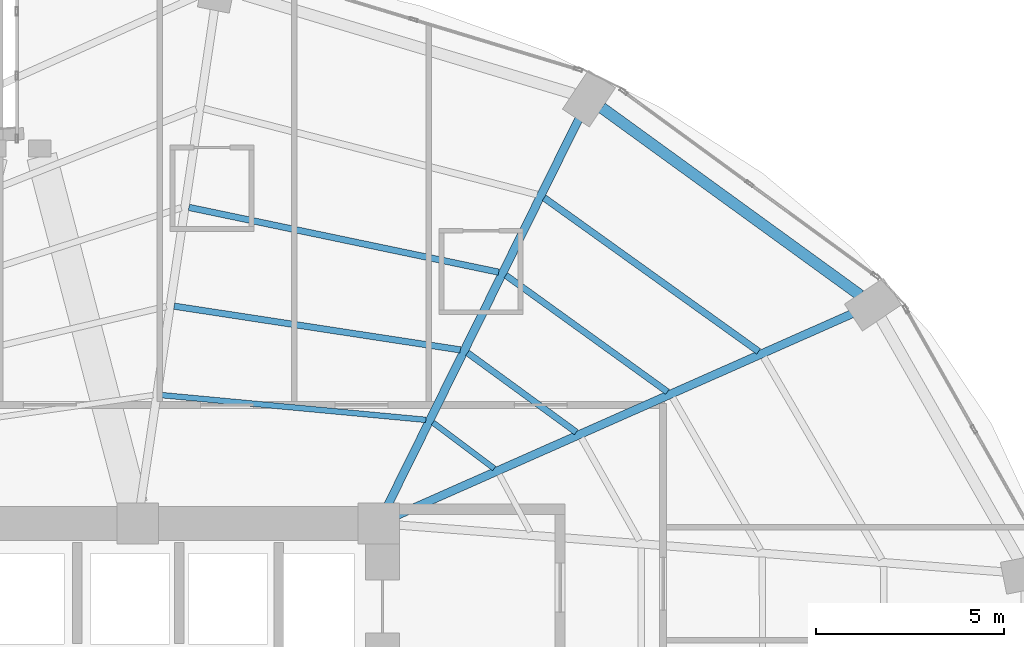
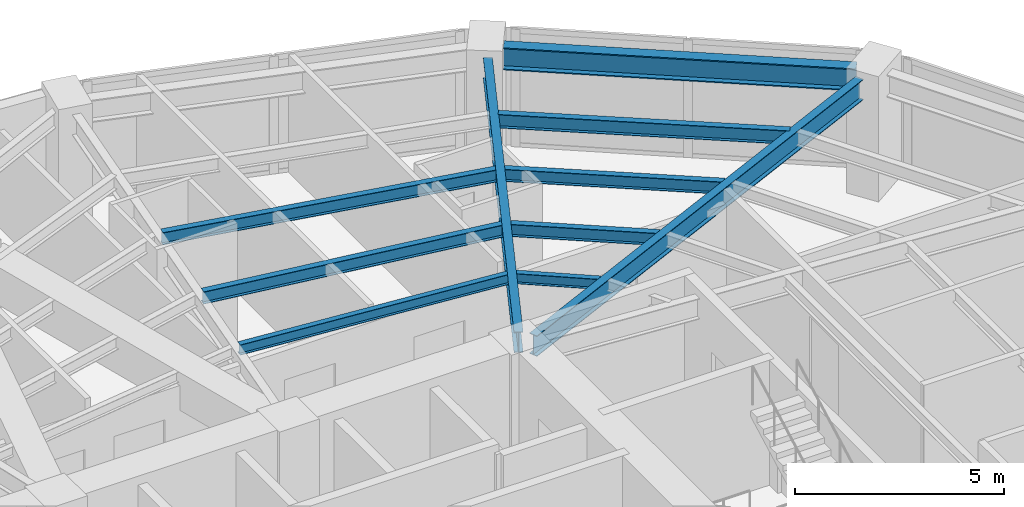
# One storey, part 17 of 25: 10 beams.
"""IFC4 building model written with IfcOpenShell, lengths in metres."""

import ifcopenshell
import ifcopenshell.guid

model = None  # the IFC model being written
_history = None  # IfcOwnerHistory: only IFC2X3 demands one
_inside = {}  # id of a spatial element -> (the spatial element, [elements in it])
_under = {}  # id of a project, library or spatial element -> (it, [spatial elements below it])
_declared = {}  # id of a project -> (the project, [libraries it declares])
_typed = {}  # id of a type object -> (the type object, [elements of that type])
_made_of = {}  # id of a material, layer set ... -> (it, [elements and type objects made of it])


def new_model(schema):
    """Start an empty IFC model of exactly this schema.

    Asked for "IFC4X3", IfcOpenShell would pick the latest addendum, in which some entities
    have other attributes; the version numbers below select the first issue.
    IFC2X3 requires an IfcOwnerHistory on every rooted entity: one is made here for all.
    """
    global model, _history
    if schema == "IFC4X3":
        model = ifcopenshell.file(schema_version=(4, 3, 0, 0))
    else:
        model = ifcopenshell.file(schema=schema)
    _inside.clear()
    _under.clear()
    _declared.clear()
    _typed.clear()
    _made_of.clear()
    _history = None
    if model.schema == "IFC2X3":
        org = make("IfcOrganization", Name="unknown")
        user = make(
            "IfcPersonAndOrganization",
            ThePerson=make("IfcPerson", FamilyName="unknown"),
            TheOrganization=org,
        )
        app = make(
            "IfcApplication",
            ApplicationDeveloper=org,
            Version="unknown",
            ApplicationFullName="unknown",
            ApplicationIdentifier="unknown",
        )
        _history = make(
            "IfcOwnerHistory",
            OwningUser=user,
            OwningApplication=app,
            ChangeAction="ADDED",
            CreationDate=0,
        )
    return model


def make(cls, **values):
    """One entity of the class cls with the attributes given. An attribute that is None is left unset."""
    return model.create_entity(
        cls, **{name: value for name, value in values.items() if value is not None}
    )


def rooted(cls, **values):
    """An entity with a GlobalId (a new one), such as an element, a storey or a relation."""
    return make(cls, GlobalId=ifcopenshell.guid.new(), OwnerHistory=_history, **values)


def si_unit(unit_type, name, prefix=None):
    """IfcSIUnit, for example si_unit("LENGTHUNIT", "METRE", prefix="MILLI")."""
    return make("IfcSIUnit", UnitType=unit_type, Prefix=prefix, Name=name)


def assignment(units):
    """IfcUnitAssignment: the units of a project."""
    return None if units is None else make("IfcUnitAssignment", Units=units)


def point(xyz):
    """IfcCartesianPoint."""
    return None if xyz is None else make("IfcCartesianPoint", Coordinates=xyz)


def direction(xyz):
    """IfcDirection."""
    return None if xyz is None else make("IfcDirection", DirectionRatios=xyz)


def frame(location, z_axis=None, x_axis=None):
    """IfcAxis2Placement3D, a coordinate frame: its origin and axes. An axis left out is left unset."""
    return make(
        "IfcAxis2Placement3D",
        Location=point(location),
        Axis=direction(z_axis),
        RefDirection=direction(x_axis),
    )


def frame_2d(location, x_axis=None):
    """IfcAxis2Placement2D, a coordinate frame in the plane: its origin and x axis."""
    return make(
        "IfcAxis2Placement2D", Location=point(location), RefDirection=direction(x_axis)
    )


def origin():
    """The frame at (0, 0, 0) with its axes left unset."""
    return frame((0.0, 0.0, 0.0))


def origin_2d():
    """The frame at (0, 0) in the plane with its x axis left unset."""
    return frame_2d((0.0, 0.0))


def place(relative_to, where):
    """IfcLocalPlacement: puts the frame where relative to a parent placement (None: the world)."""
    return make(
        "IfcLocalPlacement", PlacementRelTo=relative_to, RelativePlacement=where
    )


def context(
    kind, dimensions, precision=None, world=None, true_north=None, identifier=None
):
    """IfcGeometricRepresentationContext, for example the 3D "Model" context."""
    return make(
        "IfcGeometricRepresentationContext",
        ContextIdentifier=identifier,
        ContextType=kind,
        CoordinateSpaceDimension=dimensions,
        Precision=precision,
        WorldCoordinateSystem=world,
        TrueNorth=true_north,
    )


def subcontext(parent, identifier, kind, view, scale=None):
    """IfcGeometricRepresentationSubContext, for example "Body" below "Model"."""
    return make(
        "IfcGeometricRepresentationSubContext",
        ContextIdentifier=identifier,
        ContextType=kind,
        ParentContext=parent,
        TargetScale=scale,
        TargetView=view,
    )


def project(units=None, contexts=None):
    """IfcProject with its units and contexts."""
    return rooted(
        "IfcProject",
        Name="project",
        RepresentationContexts=contexts,
        UnitsInContext=assignment(units),
    )


def spatial(cls, under=None, at=None, **own):
    """A site, building, storey or space (cls), placed at a placement, below another one or the project."""
    s = rooted(cls, ObjectPlacement=at, **own)
    if under is not None:
        _under.setdefault(under.id(), (under, []))[1].append(s)
    return s


def profile(cls, at=None, kind="AREA", **sizes):
    """A parametric profile (cls). Its sizes go by their IFC names, for example OverallWidth=200.0."""
    return make(cls, ProfileType=kind, Position=at, **sizes)


def i_section(**sizes):
    """IfcIShapeProfileDef."""
    return profile("IfcIShapeProfileDef", **sizes)


def extrude(swept, where, along, depth):
    """IfcExtrudedAreaSolid: the profile swept, set in the frame where, extruded along a direction by depth."""
    return make(
        "IfcExtrudedAreaSolid",
        SweptArea=swept,
        Position=where,
        ExtrudedDirection=direction(along),
        Depth=depth,
    )


def shape(context_of_items, identifier, shape_type, items):
    """IfcShapeRepresentation: the items that make up one representation, for example the "Body"."""
    return make(
        "IfcShapeRepresentation",
        ContextOfItems=context_of_items,
        RepresentationIdentifier=identifier,
        RepresentationType=shape_type,
        Items=items,
    )


def material(Name=None, Category=None):
    """IfcMaterial."""
    return make("IfcMaterial", Name=Name, Category=Category)


def material_profile(
    of_material, cross_section, Name=None, Category=None, Priority=None
):
    """IfcMaterialProfile: a cross section and its material."""
    return make(
        "IfcMaterialProfile",
        Name=Name,
        Material=of_material,
        Profile=cross_section,
        Priority=Priority,
        Category=Category,
    )


def profile_set(profiles, Name=None, composite=None):
    """IfcMaterialProfileSet."""
    return make(
        "IfcMaterialProfileSet",
        Name=Name,
        MaterialProfiles=profiles,
        CompositeProfile=composite,
    )


def made_of(thing, what):
    """Note that an element or type object is made of a material, layer set ...; save() writes the relation."""
    if what is not None:
        _made_of.setdefault(what.id(), (what, []))[1].append(thing)
    return thing


def type_object(cls, material=None, **own):
    """A type object (cls), such as IfcWallType, which elements share."""
    return made_of(rooted(cls, **own), material)


def element(
    cls,
    number,
    at=None,
    inside=None,
    cuts=None,
    type_object=None,
    material=None,
    context=None,
    identifier="Body",
    shape_type=None,
    held_by="IfcProductDefinitionShape",
    body=None,
    shapes=None,
    **own,
):
    """One element of the class cls, such as IfcWall. Its Tag is "e" and its number.

    at: its placement. inside: the storey or other place that contains it. cuts: it is an
    opening in that element (IfcRelVoidsElement). A single representation is given by context,
    identifier, shape_type and body (its items); several are given by shapes. held_by: the class
    of the entity that holds the representations. save() writes the other relations.
    """
    e = rooted(cls, Tag="e%d" % number, ObjectPlacement=at, **own)
    if body is not None:
        shapes = [shape(context, identifier, shape_type, body)]
    if shapes is not None:
        e.Representation = make(held_by, Representations=shapes)
    if inside is not None:
        _inside.setdefault(inside.id(), (inside, []))[1].append(e)
    if cuts is not None:
        rooted(
            "IfcRelVoidsElement", RelatingBuildingElement=cuts, RelatedOpeningElement=e
        )
    if type_object is not None:
        _typed.setdefault(type_object.id(), (type_object, []))[1].append(e)
    return made_of(e, material)


def aggregate(whole, parts):
    """IfcRelAggregates: a whole, such as a stair, and the parts it consists of."""
    return rooted("IfcRelAggregates", RelatingObject=whole, RelatedObjects=parts)


def save(model, path):
    """Write the relations noted so far, then the file.

    IfcRelAggregates (storeys below a building ...), IfcRelContainedInSpatialStructure (elements
    in a storey), IfcRelDefinesByType, IfcRelAssociatesMaterial and IfcRelDeclares: one each for
    every whole, place, type object, material and project.
    """
    for whole, parts in _under.values():
        aggregate(whole, parts)
    for where, things in _inside.values():
        rooted(
            "IfcRelContainedInSpatialStructure",
            RelatedElements=things,
            RelatingStructure=where,
        )
    for kind, things in _typed.values():
        rooted("IfcRelDefinesByType", RelatedObjects=things, RelatingType=kind)
    for what, things in _made_of.values():
        rooted("IfcRelAssociatesMaterial", RelatedObjects=things, RelatingMaterial=what)
    for by, libraries in _declared.values():
        rooted("IfcRelDeclares", RelatingContext=by, RelatedDefinitions=libraries)
    model.write(path)


model = new_model("IFC4")

# Units and contexts
model_context = context("Model", 3, precision=1e-05, world=origin(), true_north=direction((0.0, 1.0)))
body_context = subcontext(model_context, "Body", "Model", "MODEL_VIEW")
ifc_project = project(units=[si_unit("LENGTHUNIT", "METRE"), si_unit("AREAUNIT", "SQUARE_METRE"), si_unit("VOLUMEUNIT", "CUBIC_METRE"), si_unit("PLANEANGLEUNIT", "RADIAN"), si_unit("MASSUNIT", "GRAM", prefix="KILO")], contexts=[model_context])

# Site, building, storey
site_placement = place(None, origin())
site = spatial("IfcSite", under=ifc_project, at=site_placement, CompositionType="ELEMENT")
building_placement = place(site_placement, origin())
building = spatial("IfcBuilding", under=site, at=building_placement, Name="Lazwardi Medical Tower", CompositionType="ELEMENT")
storey_placement = place(building_placement, frame((0.0, 0.0, 50.736083984375)))
storey = spatial("IfcBuildingStorey", under=building, at=storey_placement, Name="L12", CompositionType="ELEMENT", Elevation=50.736083984375)

# Beams
ifc_material = material(Name="Steel S355", Category="steel")
ifc_material_profile_1 = material_profile(ifc_material, i_section(OverallWidth=0.300048828125, OverallDepth=0.64990234375, WebThickness=0.01611328125, FlangeThickness=0.031005859375, at=origin_2d()), Name="HEB 650")
ifc_profile_set_1 = profile_set([ifc_material_profile_1], Name="Steel S355")
beam_type_1 = type_object("IfcBeamType", Name="BM-RB-Z1", PredefinedType="BEAM", material=ifc_profile_set_1)
beam_1_placement = place(storey_placement, frame((58.3798828125, 41.660888671875, 3.10302734375), z_axis=(-0.809407079515, 0.587247971159, 0.0), x_axis=(-0.587247971159, -0.809407079515, 0.0)))
element("IfcBeam", 1, at=beam_1_placement, inside=storey, type_object=beam_type_1, Name="Ring beam RB-02 B06 L12", PredefinedType="BEAM", context=body_context, shape_type="SweptSolid", body=[
    extrude(i_section(OverallWidth=0.300048828125, OverallDepth=0.64990234375, WebThickness=0.01611328125, FlangeThickness=0.031005859375, at=origin_2d()), origin(), (0.0, 0.0, 1.0), 8.473876953125),
])
ifc_material_profile_2 = material_profile(ifc_material, i_section(OverallWidth=0.219970703125, OverallDepth=0.60009765625, WebThickness=0.011962890625, FlangeThickness=0.01904296875, at=origin_2d()), Name="IPE 600")
ifc_profile_set_2 = profile_set([ifc_material_profile_2], Name="Steel S355")
beam_type_2 = type_object("IfcBeamType", Name="BM-RG-W1", PredefinedType="BEAM", material=ifc_profile_set_2)
beam_2_placement = place(storey_placement, frame((58.189697265625, 41.17919921875, 3.1279296875), z_axis=(-0.914252189566, -0.405145571214, 0.0), x_axis=(0.405145571214, -0.914252189566, 0.0)))
element("IfcBeam", 2, at=beam_2_placement, inside=storey, type_object=beam_type_2, Name="Radial girder RG-02 R06 L12", PredefinedType="BEAM", context=body_context, shape_type="SweptSolid", body=[
    extrude(i_section(OverallWidth=0.219970703125, OverallDepth=0.60009765625, WebThickness=0.011962890625, FlangeThickness=0.01904296875, at=origin_2d()), origin(), (0.0, 0.0, 1.0), 13.235595703125),
])
beam_3_placement = place(storey_placement, frame((50.923828125, 46.364013671875, 3.1279296875), z_axis=(-0.443336723706, -0.896355146922, 0.0), x_axis=(0.896355146922, -0.443336723706, 0.0)))
element("IfcBeam", 3, at=beam_3_placement, inside=storey, type_object=beam_type_2, Name="Radial girder RG-02 R07 L12", PredefinedType="BEAM", context=body_context, shape_type="SweptSolid", body=[
    extrude(i_section(OverallWidth=0.219970703125, OverallDepth=0.60009765625, WebThickness=0.011962890625, FlangeThickness=0.01904296875, at=origin_2d()), origin(), (0.0, 0.0, 1.0), 11.4736328125),
])
ifc_material_profile_3 = material_profile(ifc_material, i_section(OverallWidth=0.179931640625, OverallDepth=0.39990234375, WebThickness=0.008544921875, FlangeThickness=0.013427734375, at=origin_2d()), Name="IPE 400")
ifc_profile_set_3 = profile_set([ifc_material_profile_3], Name="Steel S355")
beam_type_3 = type_object("IfcBeamType", Name="BM-SJ-01", PredefinedType="JOIST", material=ifc_profile_set_3)
beam_4_placement = place(storey_placement, frame((55.68408203125, 40.16796875, 3.22802734375), z_axis=(-0.812901036873, 0.582401840872, 0.0), x_axis=(-0.582401840872, -0.812901036873, 0.0)))
element("IfcBeam", 4, at=beam_4_placement, inside=storey, type_object=beam_type_3, Name="Secondary joist SJ-01 R1 B06 L12", PredefinedType="JOIST", context=body_context, shape_type="SweptSolid", body=[
    extrude(i_section(OverallWidth=0.179931640625, OverallDepth=0.39990234375, WebThickness=0.008544921875, FlangeThickness=0.013427734375, at=origin_2d()), origin(), (0.0, 0.0, 1.0), 7.002197265625),
])
ifc_material_profile_4 = material_profile(ifc_material, i_section(OverallWidth=0.169921875, OverallDepth=0.360107421875, WebThickness=0.008056640625, FlangeThickness=0.0126953125, at=origin_2d()), Name="IPE 360")
ifc_profile_set_4 = profile_set([ifc_material_profile_4], Name="Steel S355")
beam_type_4 = type_object("IfcBeamType", Name="BM-SJ-02", PredefinedType="JOIST", material=ifc_profile_set_4)
beam_5_placement = place(storey_placement, frame((53.26416015625, 39.095703125, 3.247802734375), z_axis=(-0.811142764961, 0.584848198127, 0.0), x_axis=(-0.584848198127, -0.811142764961, 0.0)))
element("IfcBeam", 5, at=beam_5_placement, inside=storey, type_object=beam_type_4, Name="Secondary joist SJ-02 R2 B06 L12", PredefinedType="JOIST", context=body_context, shape_type="SweptSolid", body=[
    extrude(i_section(OverallWidth=0.169921875, OverallDepth=0.360107421875, WebThickness=0.008056640625, FlangeThickness=0.0126953125, at=origin_2d()), origin(), (0.0, 0.0, 1.0), 5.28857421875),
])
beam_6_placement = place(storey_placement, frame((48.786376953125, 42.271728515625, 3.247802734375), z_axis=(-0.978809182847, 0.204774470026, 0.0), x_axis=(-0.204774470026, -0.978809182847, 0.0)))
element("IfcBeam", 6, at=beam_6_placement, inside=storey, type_object=beam_type_4, Name="Secondary joist SJ-02 R2 B07 L12", PredefinedType="JOIST", context=body_context, shape_type="SweptSolid", body=[
    extrude(i_section(OverallWidth=0.169921875, OverallDepth=0.360107421875, WebThickness=0.008056640625, FlangeThickness=0.0126953125, at=origin_2d()), origin(), (0.0, 0.0, 1.0), 8.40283203125),
])
beam_7_placement = place(storey_placement, frame((50.844482421875, 38.023681640625, 3.247802734375), z_axis=(-0.80770129933, 0.589591902132, 0.0), x_axis=(-0.589591902132, -0.80770129933, 0.0)))
element("IfcBeam", 7, at=beam_7_placement, inside=storey, type_object=beam_type_4, Name="Secondary joist SJ-02 R3 B06 L12", PredefinedType="JOIST", context=body_context, shape_type="SweptSolid", body=[
    extrude(i_section(OverallWidth=0.169921875, OverallDepth=0.360107421875, WebThickness=0.008056640625, FlangeThickness=0.0126953125, at=origin_2d()), origin(), (0.0, 0.0, 1.0), 3.5751953125),
])
beam_8_placement = place(storey_placement, frame((47.76806640625, 40.209228515625, 3.247802734375), z_axis=(-0.988535611365, 0.150987897074, 0.0), x_axis=(-0.150987897074, -0.988535611365, 0.0)))
element("IfcBeam", 8, at=beam_8_placement, inside=storey, type_object=beam_type_4, Name="Secondary joist SJ-02 R3 B07 L12", PredefinedType="JOIST", context=body_context, shape_type="SweptSolid", body=[
    extrude(i_section(OverallWidth=0.169921875, OverallDepth=0.360107421875, WebThickness=0.008056640625, FlangeThickness=0.0126953125, at=origin_2d()), origin(), (0.0, 0.0, 1.0), 7.68701171875),
])
ifc_material_profile_5 = material_profile(ifc_material, i_section(OverallWidth=0.14990234375, OverallDepth=0.300048828125, WebThickness=0.007080078125, FlangeThickness=0.0107421875, at=origin_2d()), Name="IPE 300")
ifc_profile_set_5 = profile_set([ifc_material_profile_5], Name="Steel S355")
beam_type_5 = type_object("IfcBeamType", Name="BM-SJ-03", PredefinedType="JOIST", material=ifc_profile_set_5)
beam_9_placement = place(storey_placement, frame((48.667236328125, 37.0595703125, 3.27783203125), z_axis=(-0.800115247939, 0.599846305328, 0.0), x_axis=(-0.599846305328, -0.800115247939, 0.0)))
element("IfcBeam", 9, at=beam_9_placement, inside=storey, type_object=beam_type_5, Name="Secondary joist SJ-03 R4 B06 L12", PredefinedType="JOIST", context=body_context, shape_type="SweptSolid", body=[
    extrude(i_section(OverallWidth=0.14990234375, OverallDepth=0.300048828125, WebThickness=0.007080078125, FlangeThickness=0.0107421875, at=origin_2d()), origin(), (0.0, 0.0, 1.0), 2.033447265625),
])
beam_10_placement = place(storey_placement, frame((46.851806640625, 38.35205078125, 3.27783203125), z_axis=(-0.995649263748, 0.093180167407, 0.0), x_axis=(-0.093180167407, -0.995649263748, 0.0)))
element("IfcBeam", 10, at=beam_10_placement, inside=storey, type_object=beam_type_5, Name="Secondary joist SJ-03 R4 B07 L12", PredefinedType="JOIST", context=body_context, shape_type="SweptSolid", body=[
    extrude(i_section(OverallWidth=0.14990234375, OverallDepth=0.300048828125, WebThickness=0.007080078125, FlangeThickness=0.0107421875, at=origin_2d()), origin(), (0.0, 0.0, 1.0), 7.06640625),
])

save(model, "model.ifc")
